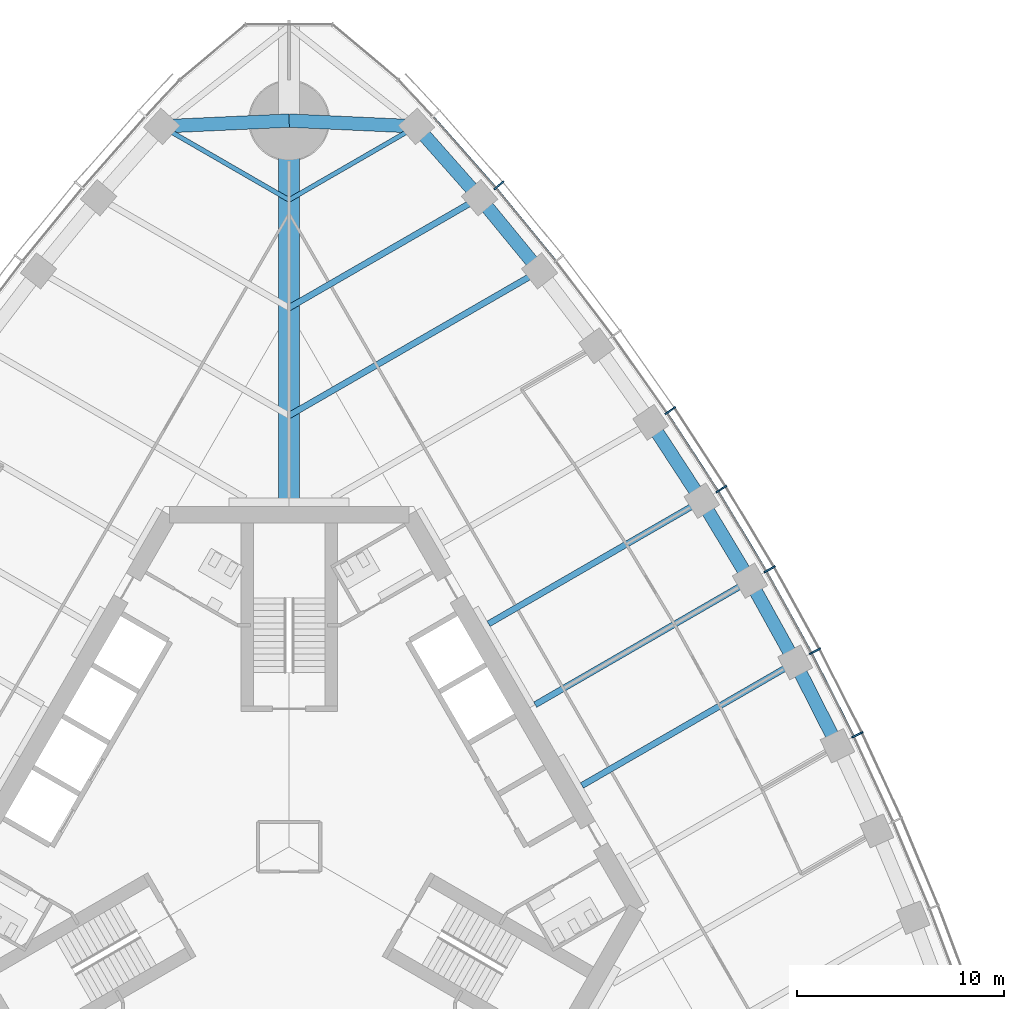
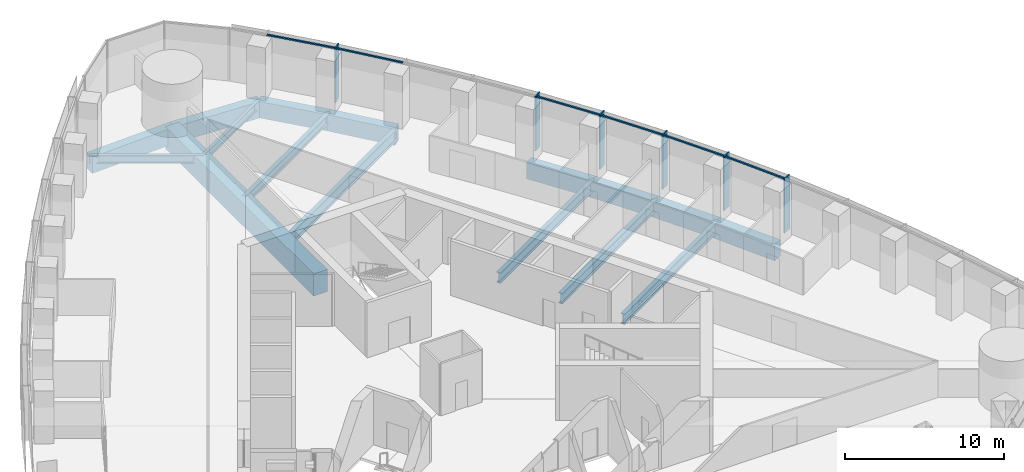
# One storey, part 6 of 21: 16 beams, 12 members, 1 element without a shape of its own.
"""IFC4 building model written with IfcOpenShell, lengths in metres."""

from ifc_helpers import new_model, si_unit, direction, frame, origin, origin_2d, place, context, subcontext, project, spatial, rectangle, i_section, extrude, material, material_profile, profile_set, type_object, element, aggregate, save


model = new_model("IFC4")

# Units and contexts
model_context = context("Model", 3, precision=1e-05, world=origin(), true_north=direction((0.0, 1.0)))
body_context = subcontext(model_context, "Body", "Model", "MODEL_VIEW")
ifc_project = project(units=[si_unit("LENGTHUNIT", "METRE"), si_unit("AREAUNIT", "SQUARE_METRE"), si_unit("VOLUMEUNIT", "CUBIC_METRE"), si_unit("PLANEANGLEUNIT", "RADIAN"), si_unit("MASSUNIT", "GRAM", prefix="KILO")], contexts=[model_context])

# Site, building, storey
site_placement = place(None, origin())
site = spatial("IfcSite", under=ifc_project, at=site_placement, CompositionType="ELEMENT")
building_placement = place(site_placement, origin())
building = spatial("IfcBuilding", under=site, at=building_placement, Name="Trefoil Bronze Tower", CompositionType="ELEMENT")
storey_placement = place(building_placement, frame((0.0, 0.0, 145.10009765625)))
storey = spatial("IfcBuildingStorey", under=building, at=storey_placement, Name="L33", CompositionType="ELEMENT", Elevation=145.10009765625)

# Curtain wall, members
ifc_material_1 = material(Name="Tinted solar-control glass", Category="glass")
curtain_wall_type = type_object("IfcCurtainWallType", Name="Bronze office curtain wall", PredefinedType="USERDEFINED", material=ifc_material_1)
curtain_wall_placement = place(storey_placement, origin())
curtain_wall = element("IfcCurtainWall", 1, at=curtain_wall_placement, inside=storey, type_object=curtain_wall_type, Name="CW-A L33 F2", ObjectType="CURTAIN WALL", PredefinedType="USERDEFINED")
ifc_material_2 = material(Name="Bronze-finish aluminium", Category="aluminium")
ifc_material_profile_1 = material_profile(ifc_material_2, rectangle(XDim=0.60009765625, YDim=0.080078125, at=origin_2d()), Name="CW-A mullion")
ifc_profile_set_1 = profile_set([ifc_material_profile_1], Name="Bronze-finish aluminium")
member_type_1 = type_object("IfcMemberType", Name="Bronze office curtain wall mullion", PredefinedType="MULLION", material=ifc_profile_set_1)
member_1_placement = place(storey_placement, frame((27.394775390625, 5.399169921875, 0.0), z_axis=(0.0, 0.0, 1.0), x_axis=(-0.899819602033, -0.436262173236, 0.0)))
member_1 = element("IfcMember", 2, at=member_1_placement, type_object=member_type_1, Name="CW-A L33 F2 mullion 6", PredefinedType="MULLION", context=body_context, shape_type="SweptSolid", body=[
    extrude(rectangle(XDim=0.60009765625, YDim=0.080078125, at=origin_2d()), origin(), (0.0, 0.0, 1.0), 4.179931640625),
])
member_2_placement = place(storey_placement, frame((25.350830078125, 9.427734375, 0.0), z_axis=(0.0, 0.0, 1.0), x_axis=(-0.883486441467, -0.468456729853, 0.0)))
member_2 = element("IfcMember", 3, at=member_2_placement, type_object=member_type_1, Name="CW-A L33 F2 mullion 7", PredefinedType="MULLION", context=body_context, shape_type="SweptSolid", body=[
    extrude(rectangle(XDim=0.60009765625, YDim=0.080078125, at=origin_2d()), origin(), (0.0, 0.0, 1.0), 4.179931640625),
])
member_3_placement = place(storey_placement, frame((23.166015625, 13.374755859375, 0.0), z_axis=(0.0, 0.0, 1.0), x_axis=(-0.866025403784, -0.5, 0.0)))
member_3 = element("IfcMember", 4, at=member_3_placement, type_object=member_type_1, Name="CW-A L33 F2 mullion 8", PredefinedType="MULLION", context=body_context, shape_type="SweptSolid", body=[
    extrude(rectangle(XDim=0.60009765625, YDim=0.080078125, at=origin_2d()), origin(), (0.0, 0.0, 1.0), 4.179931640625),
])
member_4_placement = place(storey_placement, frame((20.840087890625, 17.24072265625, 0.0), z_axis=(0.0, 0.0, 1.0), x_axis=(-0.84743864936, -0.530893337283, 0.0)))
member_4 = element("IfcMember", 5, at=member_4_placement, type_object=member_type_1, Name="CW-A L33 F2 mullion 9", PredefinedType="MULLION", context=body_context, shape_type="SweptSolid", body=[
    extrude(rectangle(XDim=0.60009765625, YDim=0.080078125, at=origin_2d()), origin(), (0.0, 0.0, 1.0), 4.179931640625),
])
member_5_placement = place(storey_placement, frame((18.373046875, 21.025146484375, 0.0), z_axis=(0.0, 0.0, 1.0), x_axis=(-0.827723925749, -0.561135547566, 0.0)))
member_5 = element("IfcMember", 6, at=member_5_placement, type_object=member_type_1, Name="CW-A L33 F2 mullion 10", PredefinedType="MULLION", context=body_context, shape_type="SweptSolid", body=[
    extrude(rectangle(XDim=0.60009765625, YDim=0.080078125, at=origin_2d()), origin(), (0.0, 0.0, 1.0), 4.179931640625),
])
member_6_placement = place(storey_placement, frame((10.11474609375, 31.8828125, 0.0), z_axis=(0.0, 0.0, 1.0), x_axis=(-0.761721651066, -0.647904411389, 0.0)))
member_6 = element("IfcMember", 7, at=member_6_placement, type_object=member_type_1, Name="CW-A L33 F2 mullion 13", PredefinedType="MULLION", context=body_context, shape_type="SweptSolid", body=[
    extrude(rectangle(XDim=0.60009765625, YDim=0.080078125, at=origin_2d()), origin(), (0.0, 0.0, 1.0), 4.179931640625),
])
ifc_material_3 = material(Name="Bronze-finish aluminium", Category="aluminium")
ifc_material_profile_2 = material_profile(ifc_material_3, rectangle(XDim=0.1201171875, YDim=0.10009765625, at=origin_2d()), Name="CW-A transom")
ifc_profile_set_2 = profile_set([ifc_material_profile_2], Name="Bronze-finish aluminium")
member_type_2 = type_object("IfcMemberType", Name="Bronze office curtain wall transom", PredefinedType="USERDEFINED", material=ifc_profile_set_2)
member_7_placement = place(storey_placement, frame((27.196044921875, 5.34912109375, 4.1298828125), z_axis=(-0.452478489814, 0.891775317138, 0.0), x_axis=(-0.891775317138, -0.452478489814, 0.0)))
member_7 = element("IfcMember", 8, at=member_7_placement, type_object=member_type_2, Name="CW-A L33 F2 transom 6", ObjectType="TRANSOM", PredefinedType="USERDEFINED", context=body_context, shape_type="SweptSolid", body=[
    extrude(rectangle(XDim=0.1201171875, YDim=0.10009765625, at=origin_2d()), origin(), (0.0, 0.0, 1.0), 4.426513671875),
])
member_8_placement = place(storey_placement, frame((25.154052734375, 9.37060546875, 4.1298828125), z_axis=(-0.484329470343, 0.874885686337, 0.0), x_axis=(-0.874885686337, -0.484329470343, 0.0)))
member_8 = element("IfcMember", 9, at=member_8_placement, type_object=member_type_2, Name="CW-A L33 F2 transom 7", ObjectType="TRANSOM", PredefinedType="USERDEFINED", context=body_context, shape_type="SweptSolid", body=[
    extrude(rectangle(XDim=0.1201171875, YDim=0.10009765625, at=origin_2d()), origin(), (0.0, 0.0, 1.0), 4.4208984375),
])
member_9_placement = place(storey_placement, frame((22.97119140625, 13.310546875, 4.1298828125), z_axis=(-0.515526794174, 0.856873458854, 0.0), x_axis=(-0.856873458854, -0.515526794174, 0.0)))
member_9 = element("IfcMember", 10, at=member_9_placement, type_object=member_type_2, Name="CW-A L33 F2 transom 8", ObjectType="TRANSOM", PredefinedType="USERDEFINED", context=body_context, shape_type="SweptSolid", body=[
    extrude(rectangle(XDim=0.1201171875, YDim=0.10009765625, at=origin_2d()), origin(), (0.0, 0.0, 1.0), 4.4208984375),
])
member_10_placement = place(storey_placement, frame((20.647705078125, 17.16943359375, 4.1298828125), z_axis=(-0.546079336226, 0.837733465099, 0.0), x_axis=(-0.837733465099, -0.546079336226, 0.0)))
member_10 = element("IfcMember", 11, at=member_10_placement, type_object=member_type_2, Name="CW-A L33 F2 transom 9", ObjectType="TRANSOM", PredefinedType="USERDEFINED", context=body_context, shape_type="SweptSolid", body=[
    extrude(rectangle(XDim=0.1201171875, YDim=0.10009765625, at=origin_2d()), origin(), (0.0, 0.0, 1.0), 4.426513671875),
])
member_11_placement = place(storey_placement, frame((12.82861328125, 28.255615234375, 4.1298828125), z_axis=(-0.633848872297, 0.773456919995, 0.0), x_axis=(-0.773456919995, -0.633848872297, 0.0)))
member_11 = element("IfcMember", 12, at=member_11_placement, type_object=member_type_2, Name="CW-A L33 F2 transom 12", ObjectType="TRANSOM", PredefinedType="USERDEFINED", context=body_context, shape_type="SweptSolid", body=[
    extrude(rectangle(XDim=0.1201171875, YDim=0.10009765625, at=origin_2d()), origin(), (0.0, 0.0, 1.0), 4.480224609375),
])
member_12_placement = place(storey_placement, frame((9.9345703125, 31.78466796875, 4.1298828125), z_axis=(-0.66173618877, 0.749736764786, 0.0), x_axis=(-0.749736764786, -0.66173618877, 0.0)))
member_12 = element("IfcMember", 13, at=member_12_placement, type_object=member_type_2, Name="CW-A L33 F2 transom 13", ObjectType="TRANSOM", PredefinedType="USERDEFINED", context=body_context, shape_type="SweptSolid", body=[
    extrude(rectangle(XDim=0.1201171875, YDim=0.10009765625, at=origin_2d()), origin(), (0.0, 0.0, 1.0), 4.510986328125),
])
aggregate(curtain_wall, [member_1, member_2, member_3, member_4, member_5, member_6, member_7, member_8, member_9, member_10, member_11, member_12])

# Beams
ifc_material_4 = material(Name="Concrete B80", Category="concrete")
ifc_material_profile_3 = material_profile(ifc_material_4, rectangle(XDim=1.0, YDim=1.699951171875, at=origin_2d()), Name="RC 1000x1700")
ifc_profile_set_3 = profile_set([ifc_material_profile_3], Name="Concrete B80")
beam_type_1 = type_object("IfcBeamType", Name="Corner girder RC 1000x1700", PredefinedType="BEAM", material=ifc_profile_set_3)
beam_1_placement = place(storey_placement, frame((0.0, 16.39990234375, -1.050048828125), z_axis=(0.0, 1.0, 0.0), x_axis=(-1.0, 0.0, 0.0)))
element("IfcBeam", 14, at=beam_1_placement, inside=storey, type_object=beam_type_1, Name="Corner girder K2 L33", PredefinedType="BEAM", context=body_context, shape_type="SweptSolid", body=[
    extrude(rectangle(XDim=1.0, YDim=1.699951171875, at=origin_2d()), origin(), (0.0, 0.0, 1.0), 18.60009765625),
])
ifc_material_5 = material(Name="Concrete B80", Category="concrete")
ifc_material_profile_4 = material_profile(ifc_material_5, rectangle(XDim=0.64990234375, YDim=1.25, at=origin_2d()), Name="RC 650x1250")
ifc_profile_set_4 = profile_set([ifc_material_profile_4], Name="Concrete B80")
beam_type_2 = type_object("IfcBeamType", Name="End spandrel beam RC 650x1250", PredefinedType="SPANDREL", material=ifc_profile_set_4)
for number, where, z_axis, x_axis, name in (
    (15, (6.13916015625, 34.72119140625, -0.8251953125), (-0.998970341464, 0.045368015985, 0.0), (-0.045368015985, -0.998970341464, 0.0), "Spandrel F2.14 L33"),
    (16, (0.0, 35.0, -0.8251953125), (-0.998970341464, -0.045368015985, 0.0), (0.045368015985, -0.998970341464, 0.0), "Spandrel F3.1 L33"),
):
    element("IfcBeam", number, at=place(storey_placement, frame(where, z_axis=z_axis, x_axis=x_axis)), inside=storey, type_object=beam_type_2, Name=name, PredefinedType="SPANDREL", context=body_context, shape_type="SweptSolid", body=[
        extrude(rectangle(XDim=0.64990234375, YDim=1.25, at=origin_2d()), origin(), (0.0, 0.0, 1.0), 6.1455078125),
    ])
ifc_material_6 = material(Name="Steel C355", Category="steel")
ifc_material_profile_5 = material_profile(ifc_material_6, i_section(OverallWidth=0.300048828125, OverallDepth=0.699951171875, WebThickness=0.01708984375, FlangeThickness=0.031982421875, FilletRadius=0.027099609375, at=origin_2d()), Name="HEB 700")
ifc_profile_set_5 = profile_set([ifc_material_profile_5], Name="Steel C355")
beam_type_3 = type_object("IfcBeamType", Name="Floor beam HEB 700", PredefinedType="BEAM", material=ifc_profile_set_5)
beam_2_placement = place(storey_placement, frame((9.181884765625, 31.281982421875, -0.550048828125), z_axis=(-0.866021079084, -0.500007490527, 0.0), x_axis=(0.500007490527, -0.866021079084, 0.0)))
element("IfcBeam", 17, at=beam_2_placement, inside=storey, type_object=beam_type_3, Name="Floor beam F2/+5 L33", PredefinedType="BEAM", context=body_context, shape_type="SweptSolid", body=[
    extrude(i_section(OverallWidth=0.300048828125, OverallDepth=0.699951171875, WebThickness=0.01708984375, FlangeThickness=0.031982421875, FilletRadius=0.027099609375, at=origin_2d()), origin(), (0.0, 0.0, 1.0), 10.602294921875),
])
ifc_material_7 = material(Name="Steel C355", Category="steel")
ifc_material_profile_6 = material_profile(ifc_material_7, i_section(OverallWidth=0.300048828125, OverallDepth=0.800048828125, WebThickness=0.017578125, FlangeThickness=0.032958984375, FilletRadius=0.030029296875, at=origin_2d()), Name="HEB 800")
ifc_profile_set_6 = profile_set([ifc_material_profile_6], Name="Steel C355")
beam_type_4 = type_object("IfcBeamType", Name="Floor beam HEB 800", PredefinedType="BEAM", material=ifc_profile_set_6)
beam_3_placement = place(storey_placement, frame((24.392578125, 8.886962890625, -0.60009765625), z_axis=(-0.866024236736, -0.500002021381, 0.0), x_axis=(0.500002021381, -0.866024236736, 0.0)))
element("IfcBeam", 18, at=beam_3_placement, inside=storey, type_object=beam_type_4, Name="Floor beam F2/-1 L33", PredefinedType="BEAM", context=body_context, shape_type="SweptSolid", body=[
    extrude(i_section(OverallWidth=0.300048828125, OverallDepth=0.800048828125, WebThickness=0.017578125, FlangeThickness=0.032958984375, FilletRadius=0.030029296875, at=origin_2d()), origin(), (0.0, 0.0, 1.0), 11.8681640625),
])
beam_4_placement = place(storey_placement, frame((22.21337890625, 12.824951171875, -0.60009765625), z_axis=(-0.866028062731, -0.499995394541, 0.0), x_axis=(0.499995394541, -0.866028062731, 0.0)))
element("IfcBeam", 19, at=beam_4_placement, inside=storey, type_object=beam_type_4, Name="Floor beam F2/+0 L33", PredefinedType="BEAM", context=body_context, shape_type="SweptSolid", body=[
    extrude(i_section(OverallWidth=0.300048828125, OverallDepth=0.800048828125, WebThickness=0.017578125, FlangeThickness=0.032958984375, FilletRadius=0.030029296875, at=origin_2d()), origin(), (0.0, 0.0, 1.0), 11.94970703125),
])
beam_5_placement = place(storey_placement, frame((19.892578125, 16.68115234375, -0.60009765625), z_axis=(-0.866024236736, -0.500002021381, 0.0), x_axis=(0.500002021381, -0.866024236736, 0.0)))
element("IfcBeam", 20, at=beam_5_placement, inside=storey, type_object=beam_type_4, Name="Floor beam F2/+1 L33", PredefinedType="BEAM", context=body_context, shape_type="SweptSolid", body=[
    extrude(i_section(OverallWidth=0.300048828125, OverallDepth=0.800048828125, WebThickness=0.017578125, FlangeThickness=0.032958984375, FilletRadius=0.030029296875, at=origin_2d()), origin(), (0.0, 0.0, 1.0), 11.8681640625),
])
ifc_material_8 = material(Name="Steel C355", Category="steel")
ifc_material_profile_7 = material_profile(ifc_material_8, i_section(OverallWidth=0.300048828125, OverallDepth=0.89990234375, WebThickness=0.0185546875, FlangeThickness=0.034912109375, FilletRadius=0.030029296875, at=origin_2d()), Name="HEB 900")
ifc_profile_set_7 = profile_set([ifc_material_profile_7], Name="Steel C355")
beam_type_5 = type_object("IfcBeamType", Name="Floor beam HEB 900", PredefinedType="BEAM", material=ifc_profile_set_7)
beam_6_placement = place(storey_placement, frame((12.07666015625, 27.757080078125, -0.650146484375), z_axis=(-0.866026983775, -0.499997263366, 0.0), x_axis=(0.499997263366, -0.866026983775, 0.0)))
element("IfcBeam", 21, at=beam_6_placement, inside=storey, type_object=beam_type_5, Name="Floor beam F2/+4 L33", PredefinedType="BEAM", context=body_context, shape_type="SweptSolid", body=[
    extrude(i_section(OverallWidth=0.300048828125, OverallDepth=0.89990234375, WebThickness=0.0185546875, FlangeThickness=0.034912109375, FilletRadius=0.030029296875, at=origin_2d()), origin(), (0.0, 0.0, 1.0), 13.94482421875),
])
ifc_material_9 = material(Name="Steel C355", Category="steel")
ifc_material_profile_8 = material_profile(ifc_material_9, i_section(OverallWidth=0.219970703125, OverallDepth=0.60009765625, WebThickness=0.011962890625, FlangeThickness=0.01904296875, FilletRadius=0.02392578125, at=origin_2d()), Name="IPE 600")
ifc_profile_set_8 = profile_set([ifc_material_profile_8], Name="Steel C355")
beam_type_6 = type_object("IfcBeamType", Name="Floor beam IPE 600", PredefinedType="BEAM", material=ifc_profile_set_8)
for number, where, z_axis, x_axis, name in (
    (22, (6.13916015625, 34.72119140625, -0.5), (-0.866041060244, -0.499972881236, 0.0), (0.499972881236, -0.866041060244, 0.0), "Floor beam F2/+6 L33"),
    (23, (-6.13916015625, 34.72119140625, -0.5), (0.866041060244, -0.499972881236, 0.0), (0.499972881236, 0.866041060244, 0.0), "Floor beam F3/-6 L33"),
):
    element("IfcBeam", number, at=place(storey_placement, frame(where, z_axis=z_axis, x_axis=x_axis)), inside=storey, type_object=beam_type_6, Name=name, PredefinedType="BEAM", context=body_context, shape_type="SweptSolid", body=[
        extrude(i_section(OverallWidth=0.219970703125, OverallDepth=0.60009765625, WebThickness=0.011962890625, FlangeThickness=0.01904296875, FilletRadius=0.02392578125, at=origin_2d()), origin(), (0.0, 0.0, 1.0), 7.0888671875),
    ])
ifc_material_10 = material(Name="Concrete B80", Category="concrete")
ifc_material_profile_9 = material_profile(ifc_material_10, rectangle(XDim=0.64990234375, YDim=1.25, at=origin_2d()), Name="RC 650x1250")
ifc_profile_set_9 = profile_set([ifc_material_profile_9], Name="Concrete B80")
beam_type_7 = type_object("IfcBeamType", Name="Spandrel beam RC 650x1250", PredefinedType="SPANDREL", material=ifc_profile_set_9)
beam_7_placement = place(storey_placement, frame((26.43017578125, 4.8671875, -0.8251953125), z_axis=(-0.452125717735, 0.891954222683, 0.0), x_axis=(-0.891954222683, -0.452125717735, 0.0)))
element("IfcBeam", 24, at=beam_7_placement, inside=storey, type_object=beam_type_7, Name="Spandrel F2.6 L33", PredefinedType="SPANDREL", context=body_context, shape_type="SweptSolid", body=[
    extrude(rectangle(XDim=0.64990234375, YDim=1.25, at=origin_2d()), origin(), (0.0, 0.0, 1.0), 4.506591796875),
])
for number, where, z_axis, x_axis, name in (
    (25, (24.392578125, 8.886962890625, -0.8251953125), (-0.484186866546, 0.874964615436, 0.0), (-0.874964615436, -0.484186866546, 0.0), "Spandrel F2.7 L33"),
    (26, (22.21337890625, 12.824951171875, -0.8251953125), (-0.515651979972, 0.856798129988, 0.0), (-0.856798129988, -0.515651979972, 0.0), "Spandrel F2.8 L33"),
):
    element("IfcBeam", number, at=place(storey_placement, frame(where, z_axis=z_axis, x_axis=x_axis)), inside=storey, type_object=beam_type_7, Name=name, PredefinedType="SPANDREL", context=body_context, shape_type="SweptSolid", body=[
        extrude(rectangle(XDim=0.64990234375, YDim=1.25, at=origin_2d()), origin(), (0.0, 0.0, 1.0), 4.500732421875),
    ])
beam_8_placement = place(storey_placement, frame((19.892578125, 16.68115234375, -0.8251953125), z_axis=(-0.546396670296, 0.83752652417, 0.0), x_axis=(-0.83752652417, -0.546396670296, 0.0)))
element("IfcBeam", 27, at=beam_8_placement, inside=storey, type_object=beam_type_7, Name="Spandrel F2.9 L33", PredefinedType="SPANDREL", context=body_context, shape_type="SweptSolid", body=[
    extrude(rectangle(XDim=0.64990234375, YDim=1.25, at=origin_2d()), origin(), (0.0, 0.0, 1.0), 4.506591796875),
])
beam_9_placement = place(storey_placement, frame((12.07666015625, 27.757080078125, -0.8251953125), z_axis=(-0.634650386838, 0.772799383079, 0.0), x_axis=(-0.772799383079, -0.634650386838, 0.0)))
element("IfcBeam", 28, at=beam_9_placement, inside=storey, type_object=beam_type_7, Name="Spandrel F2.12 L33", PredefinedType="SPANDREL", context=body_context, shape_type="SweptSolid", body=[
    extrude(rectangle(XDim=0.64990234375, YDim=1.25, at=origin_2d()), origin(), (0.0, 0.0, 1.0), 4.561279296875),
])
beam_10_placement = place(storey_placement, frame((9.181884765625, 31.281982421875, -0.8251953125), z_axis=(-0.662616326239, 0.748959013699, 0.0), x_axis=(-0.748959013699, -0.662616326239, 0.0)))
element("IfcBeam", 29, at=beam_10_placement, inside=storey, type_object=beam_type_7, Name="Spandrel F2.13 L33", PredefinedType="SPANDREL", context=body_context, shape_type="SweptSolid", body=[
    extrude(rectangle(XDim=0.64990234375, YDim=1.25, at=origin_2d()), origin(), (0.0, 0.0, 1.0), 4.592041015625),
])

save(model, "model.ifc")
